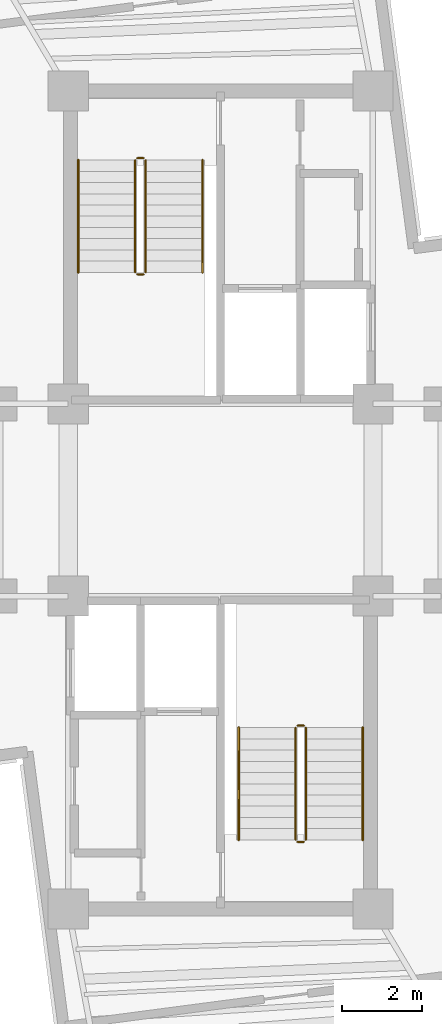
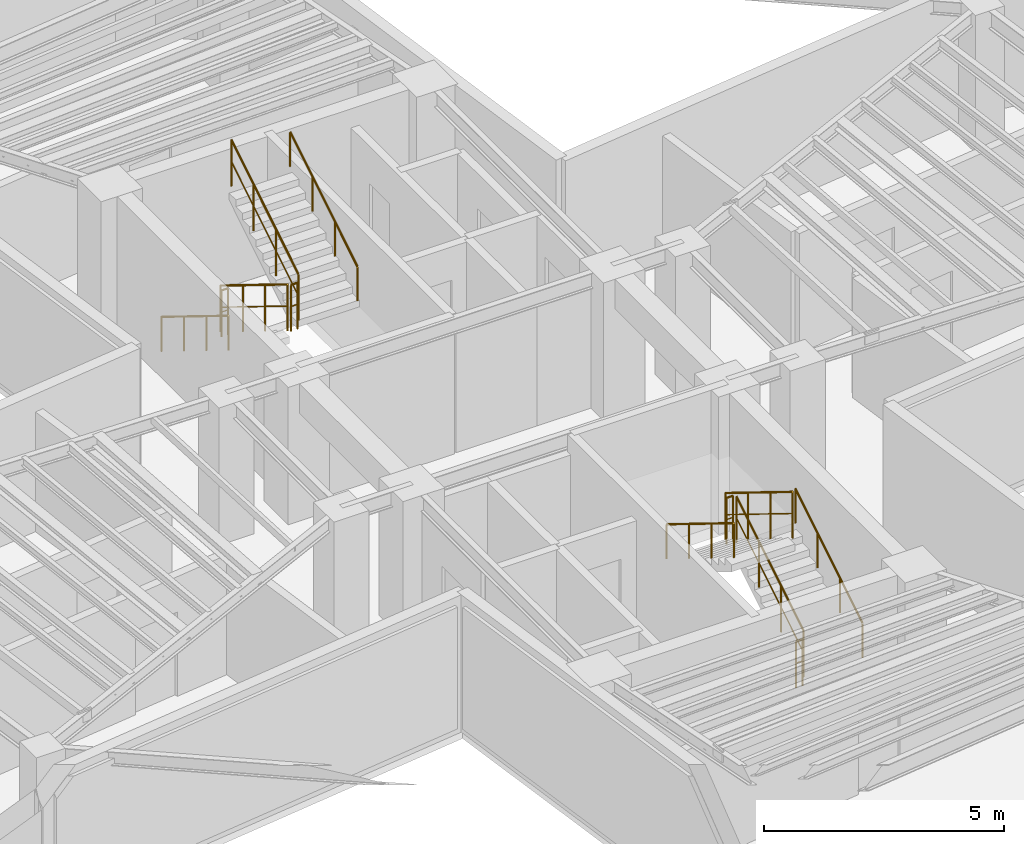
# One storey, part 6 of 6: 12 railings.
"""IFC4 building model written with IfcOpenShell, lengths in metres."""

from ifc_helpers import new_model, si_unit, direction, frame, origin, origin_2d, place, context, subcontext, project, spatial, circle, extrude, material, type_object, element, save


model = new_model("IFC4")

# Units and contexts
model_context = context("Model", 3, precision=1e-05, world=origin(), true_north=direction((0.0, 1.0)))
body_context = subcontext(model_context, "Body", "Model", "MODEL_VIEW")
ifc_project = project(units=[si_unit("LENGTHUNIT", "METRE"), si_unit("AREAUNIT", "SQUARE_METRE"), si_unit("VOLUMEUNIT", "CUBIC_METRE"), si_unit("PLANEANGLEUNIT", "RADIAN"), si_unit("MASSUNIT", "GRAM", prefix="KILO")], contexts=[model_context])

# Site, building, storey
site_placement = place(None, origin())
site = spatial("IfcSite", under=ifc_project, at=site_placement, CompositionType="ELEMENT")
building_placement = place(site_placement, origin())
building = spatial("IfcBuilding", under=site, at=building_placement, Name="Sahyath Konkavel Grand Hotel", CompositionType="ELEMENT")
storey_placement = place(building_placement, frame((0.0, 0.0, 296.5)))
storey = spatial("IfcBuildingStorey", under=building, at=storey_placement, Name="L82", CompositionType="ELEMENT", Elevation=296.5)

# Railings
ifc_material_1 = material(Name="Steel E350", Category="steel")
railing_type_1 = type_object("IfcRailingType", Name="RLG-STAIR-GRD", PredefinedType="GUARDRAIL", material=ifc_material_1)
railing_1_placement = place(storey_placement, frame((-2.1298828125, 8.47998046875, 0.172607421875)))
element("IfcRailing", 1, at=railing_1_placement, inside=storey, type_object=railing_type_1, Name="L82 ST-1 stair guard 1", PredefinedType="GUARDRAIL", context=body_context, shape_type="SweptSolid", body=[
    extrude(circle(Radius=0.02392578125, at=origin_2d()), frame((0.0, -0.001708984375, 1.177001953125), z_axis=(0.0, -0.851089632645, 0.525020415988), x_axis=(1.0, 0.0, 0.0)), (0.0, 0.0, 1.0), 3.285888671875),
    extrude(circle(Radius=0.01416015625, at=origin_2d()), frame((0.0, -0.001708984375, 0.625), z_axis=(0.0, -0.851089632645, 0.525020415988), x_axis=(1.0, 0.0, 0.0)), (0.0, 0.0, 1.0), 3.285888671875),
    extrude(circle(Radius=0.02099609375, at=origin_2d()), origin(), (0.0, 0.0, 1.0), 1.15185546875),
    extrude(circle(Radius=0.02099609375, at=origin_2d()), frame((0.0, -0.933349609375, 0.57568359375)), (0.0, 0.0, 1.0), 1.15185546875),
    extrude(circle(Radius=0.02099609375, at=origin_2d()), frame((0.0, -1.86669921875, 1.151611328125)), (0.0, 0.0, 1.0), 1.15185546875),
    extrude(circle(Radius=0.02099609375, at=origin_2d()), frame((0.0, -2.800048828125, 1.727294921875)), (0.0, 0.0, 1.0), 1.15185546875),
])
railing_2_placement = place(storey_placement, frame((-2.080078125, 5.6298828125, 1.89990234375)))
element("IfcRailing", 2, at=railing_2_placement, inside=storey, type_object=railing_type_1, Name="L82 ST-1 stair guard 2", PredefinedType="GUARDRAIL", context=body_context, shape_type="SweptSolid", body=[
    extrude(circle(Radius=0.02392578125, at=origin_2d()), frame((0.001953125, 0.0, 1.17578125), z_axis=(1.0, 0.0, 0.0), x_axis=(0.0, 1.0, 0.0)), (0.0, 0.0, 1.0), 0.15625),
    extrude(circle(Radius=0.01416015625, at=origin_2d()), frame((0.001953125, 0.0, 0.6240234375), z_axis=(1.0, 0.0, 0.0), x_axis=(0.0, 1.0, 0.0)), (0.0, 0.0, 1.0), 0.15625),
    extrude(circle(Radius=0.02099609375, at=origin_2d()), origin(), (0.0, 0.0, 1.0), 1.15185546875),
    extrude(circle(Radius=0.02099609375, at=origin_2d()), frame((0.16015625, 0.0, 0.0)), (0.0, 0.0, 1.0), 1.15185546875),
])
railing_3_placement = place(storey_placement, frame((-1.8701171875, 5.679931640625, 2.07275390625)))
element("IfcRailing", 3, at=railing_3_placement, inside=storey, type_object=railing_type_1, Name="L82 ST-1 stair guard 3", PredefinedType="GUARDRAIL", context=body_context, shape_type="SweptSolid", body=[
    extrude(circle(Radius=0.02392578125, at=origin_2d()), frame((0.0, 0.001708984375, 1.177001953125), z_axis=(0.0, 0.851089632645, 0.525020415988), x_axis=(-1.0, 0.0, 0.0)), (0.0, 0.0, 1.0), 3.285888671875),
    extrude(circle(Radius=0.01416015625, at=origin_2d()), frame((0.0, 0.001708984375, 0.625), z_axis=(0.0, 0.851089632645, 0.525020415988), x_axis=(-1.0, 0.0, 0.0)), (0.0, 0.0, 1.0), 3.285888671875),
    extrude(circle(Radius=0.02099609375, at=origin_2d()), origin(), (0.0, 0.0, 1.0), 1.15185546875),
    extrude(circle(Radius=0.02099609375, at=origin_2d()), frame((0.0, 0.933349609375, 0.57568359375)), (0.0, 0.0, 1.0), 1.15185546875),
    extrude(circle(Radius=0.02099609375, at=origin_2d()), frame((0.0, 1.86669921875, 1.151611328125)), (0.0, 0.0, 1.0), 1.15185546875),
    extrude(circle(Radius=0.02099609375, at=origin_2d()), frame((0.0, 2.800048828125, 1.727294921875)), (0.0, 0.0, 1.0), 1.15185546875),
])
railing_4_placement = place(storey_placement, frame((-2.080078125, 8.530029296875, 0.0)))
element("IfcRailing", 4, at=railing_4_placement, inside=storey, type_object=railing_type_1, Name="L82 ST-1 stair guard 4", PredefinedType="GUARDRAIL", context=body_context, shape_type="SweptSolid", body=[
    extrude(circle(Radius=0.02392578125, at=origin_2d()), frame((0.001953125, 0.0, 1.17578125), z_axis=(1.0, 0.0, 0.0), x_axis=(0.0, 1.0, 0.0)), (0.0, 0.0, 1.0), 0.15625),
    extrude(circle(Radius=0.01416015625, at=origin_2d()), frame((0.001953125, 0.0, 0.6240234375), z_axis=(1.0, 0.0, 0.0), x_axis=(0.0, 1.0, 0.0)), (0.0, 0.0, 1.0), 0.15625),
    extrude(circle(Radius=0.02099609375, at=origin_2d()), origin(), (0.0, 0.0, 1.0), 1.15185546875),
    extrude(circle(Radius=0.02099609375, at=origin_2d()), frame((0.16015625, 0.0, 0.0)), (0.0, 0.0, 1.0), 1.15185546875),
])
railing_5_placement = place(storey_placement, frame((2.1298828125, -8.47998046875, 0.172607421875)))
element("IfcRailing", 5, at=railing_5_placement, inside=storey, type_object=railing_type_1, Name="L82 ST-2 stair guard 1", PredefinedType="GUARDRAIL", context=body_context, shape_type="SweptSolid", body=[
    extrude(circle(Radius=0.02392578125, at=origin_2d()), frame((0.0, 0.001708984375, 1.177001953125), z_axis=(0.0, 0.851089632645, 0.525020415988), x_axis=(-1.0, 0.0, 0.0)), (0.0, 0.0, 1.0), 3.285888671875),
    extrude(circle(Radius=0.01416015625, at=origin_2d()), frame((0.0, 0.001708984375, 0.625), z_axis=(0.0, 0.851089632645, 0.525020415988), x_axis=(-1.0, 0.0, 0.0)), (0.0, 0.0, 1.0), 3.285888671875),
    extrude(circle(Radius=0.02099609375, at=origin_2d()), origin(), (0.0, 0.0, 1.0), 1.15185546875),
    extrude(circle(Radius=0.02099609375, at=origin_2d()), frame((0.0, 0.933349609375, 0.57568359375)), (0.0, 0.0, 1.0), 1.15185546875),
    extrude(circle(Radius=0.02099609375, at=origin_2d()), frame((0.0, 1.86669921875, 1.151611328125)), (0.0, 0.0, 1.0), 1.15185546875),
    extrude(circle(Radius=0.02099609375, at=origin_2d()), frame((0.0, 2.800048828125, 1.727294921875)), (0.0, 0.0, 1.0), 1.15185546875),
])
railing_6_placement = place(storey_placement, frame((2.080078125, -5.6298828125, 1.89990234375)))
element("IfcRailing", 6, at=railing_6_placement, inside=storey, type_object=railing_type_1, Name="L82 ST-2 stair guard 2", PredefinedType="GUARDRAIL", context=body_context, shape_type="SweptSolid", body=[
    extrude(circle(Radius=0.02392578125, at=origin_2d()), frame((-0.001953125, 0.0, 1.17578125), z_axis=(-1.0, 0.0, 0.0), x_axis=(0.0, -1.0, 0.0)), (0.0, 0.0, 1.0), 0.15625),
    extrude(circle(Radius=0.01416015625, at=origin_2d()), frame((-0.001953125, 0.0, 0.6240234375), z_axis=(-1.0, 0.0, 0.0), x_axis=(0.0, -1.0, 0.0)), (0.0, 0.0, 1.0), 0.15625),
    extrude(circle(Radius=0.02099609375, at=origin_2d()), origin(), (0.0, 0.0, 1.0), 1.15185546875),
    extrude(circle(Radius=0.02099609375, at=origin_2d()), frame((-0.16015625, 0.0, 0.0)), (0.0, 0.0, 1.0), 1.15185546875),
])
railing_7_placement = place(storey_placement, frame((1.8701171875, -5.679931640625, 2.07275390625)))
element("IfcRailing", 7, at=railing_7_placement, inside=storey, type_object=railing_type_1, Name="L82 ST-2 stair guard 3", PredefinedType="GUARDRAIL", context=body_context, shape_type="SweptSolid", body=[
    extrude(circle(Radius=0.02392578125, at=origin_2d()), frame((0.0, -0.001708984375, 1.177001953125), z_axis=(0.0, -0.851089632645, 0.525020415988), x_axis=(1.0, 0.0, 0.0)), (0.0, 0.0, 1.0), 3.285888671875),
    extrude(circle(Radius=0.01416015625, at=origin_2d()), frame((0.0, -0.001708984375, 0.625), z_axis=(0.0, -0.851089632645, 0.525020415988), x_axis=(1.0, 0.0, 0.0)), (0.0, 0.0, 1.0), 3.285888671875),
    extrude(circle(Radius=0.02099609375, at=origin_2d()), origin(), (0.0, 0.0, 1.0), 1.15185546875),
    extrude(circle(Radius=0.02099609375, at=origin_2d()), frame((0.0, -0.933349609375, 0.57568359375)), (0.0, 0.0, 1.0), 1.15185546875),
    extrude(circle(Radius=0.02099609375, at=origin_2d()), frame((0.0, -1.86669921875, 1.151611328125)), (0.0, 0.0, 1.0), 1.15185546875),
    extrude(circle(Radius=0.02099609375, at=origin_2d()), frame((0.0, -2.800048828125, 1.727294921875)), (0.0, 0.0, 1.0), 1.15185546875),
])
railing_8_placement = place(storey_placement, frame((2.080078125, -8.530029296875, 0.0)))
element("IfcRailing", 8, at=railing_8_placement, inside=storey, type_object=railing_type_1, Name="L82 ST-2 stair guard 4", PredefinedType="GUARDRAIL", context=body_context, shape_type="SweptSolid", body=[
    extrude(circle(Radius=0.02392578125, at=origin_2d()), frame((-0.001953125, 0.0, 1.17578125), z_axis=(-1.0, 0.0, 0.0), x_axis=(0.0, -1.0, 0.0)), (0.0, 0.0, 1.0), 0.15625),
    extrude(circle(Radius=0.01416015625, at=origin_2d()), frame((-0.001953125, 0.0, 0.6240234375), z_axis=(-1.0, 0.0, 0.0), x_axis=(0.0, -1.0, 0.0)), (0.0, 0.0, 1.0), 0.15625),
    extrude(circle(Radius=0.02099609375, at=origin_2d()), origin(), (0.0, 0.0, 1.0), 1.15185546875),
    extrude(circle(Radius=0.02099609375, at=origin_2d()), frame((-0.16015625, 0.0, 0.0)), (0.0, 0.0, 1.0), 1.15185546875),
])
ifc_material_2 = material(Name="Anodised Bronze Aluminium", Category="aluminium")
railing_type_2 = type_object("IfcRailingType", Name="RLG-STAIR-HND", PredefinedType="HANDRAIL", material=ifc_material_2)
railing_9_placement = place(storey_placement, frame((-3.550048828125, 8.47998046875, 0.172607421875)))
element("IfcRailing", 9, at=railing_9_placement, inside=storey, type_object=railing_type_2, Name="L82 ST-1 stair handrail 1", PredefinedType="HANDRAIL", context=body_context, shape_type="SweptSolid", body=[
    extrude(circle(Radius=0.02392578125, at=origin_2d()), frame((0.0, -0.001708984375, 0.876953125), z_axis=(0.0, -0.851089632645, 0.525020415988), x_axis=(1.0, 0.0, 0.0)), (0.0, 0.0, 1.0), 3.285888671875),
    extrude(circle(Radius=0.02099609375, at=origin_2d()), origin(), (0.0, 0.0, 1.0), 0.851806640625),
    extrude(circle(Radius=0.02099609375, at=origin_2d()), frame((0.0, -0.933349609375, 0.57568359375)), (0.0, 0.0, 1.0), 0.851806640625),
    extrude(circle(Radius=0.02099609375, at=origin_2d()), frame((0.0, -1.86669921875, 1.151611328125)), (0.0, 0.0, 1.0), 0.851806640625),
    extrude(circle(Radius=0.02099609375, at=origin_2d()), frame((0.0, -2.800048828125, 1.727294921875)), (0.0, 0.0, 1.0), 0.851806640625),
])
for number, where, name in (
    (10, (-0.449951171875, 5.679931640625, 2.07275390625), "L82 ST-1 stair handrail 2"),
    (11, (3.550048828125, -8.47998046875, 0.172607421875), "L82 ST-2 stair handrail 1"),
):
    element("IfcRailing", number, at=place(storey_placement, frame(where)), inside=storey, type_object=railing_type_2, Name=name, PredefinedType="HANDRAIL", context=body_context, shape_type="SweptSolid", body=[
        extrude(circle(Radius=0.02392578125, at=origin_2d()), frame((0.0, 0.001708984375, 0.876953125), z_axis=(0.0, 0.851089632645, 0.525020415988), x_axis=(-1.0, 0.0, 0.0)), (0.0, 0.0, 1.0), 3.285888671875),
        extrude(circle(Radius=0.02099609375, at=origin_2d()), origin(), (0.0, 0.0, 1.0), 0.851806640625),
        extrude(circle(Radius=0.02099609375, at=origin_2d()), frame((0.0, 0.933349609375, 0.57568359375)), (0.0, 0.0, 1.0), 0.851806640625),
        extrude(circle(Radius=0.02099609375, at=origin_2d()), frame((0.0, 1.86669921875, 1.151611328125)), (0.0, 0.0, 1.0), 0.851806640625),
        extrude(circle(Radius=0.02099609375, at=origin_2d()), frame((0.0, 2.800048828125, 1.727294921875)), (0.0, 0.0, 1.0), 0.851806640625),
    ])
railing_10_placement = place(storey_placement, frame((0.449951171875, -5.679931640625, 2.07275390625)))
element("IfcRailing", 12, at=railing_10_placement, inside=storey, type_object=railing_type_2, Name="L82 ST-2 stair handrail 2", PredefinedType="HANDRAIL", context=body_context, shape_type="SweptSolid", body=[
    extrude(circle(Radius=0.02392578125, at=origin_2d()), frame((0.0, -0.001708984375, 0.876953125), z_axis=(0.0, -0.851089632645, 0.525020415988), x_axis=(1.0, 0.0, 0.0)), (0.0, 0.0, 1.0), 3.285888671875),
    extrude(circle(Radius=0.02099609375, at=origin_2d()), origin(), (0.0, 0.0, 1.0), 0.851806640625),
    extrude(circle(Radius=0.02099609375, at=origin_2d()), frame((0.0, -0.933349609375, 0.57568359375)), (0.0, 0.0, 1.0), 0.851806640625),
    extrude(circle(Radius=0.02099609375, at=origin_2d()), frame((0.0, -1.86669921875, 1.151611328125)), (0.0, 0.0, 1.0), 0.851806640625),
    extrude(circle(Radius=0.02099609375, at=origin_2d()), frame((0.0, -2.800048828125, 1.727294921875)), (0.0, 0.0, 1.0), 0.851806640625),
])

save(model, "model.ifc")
